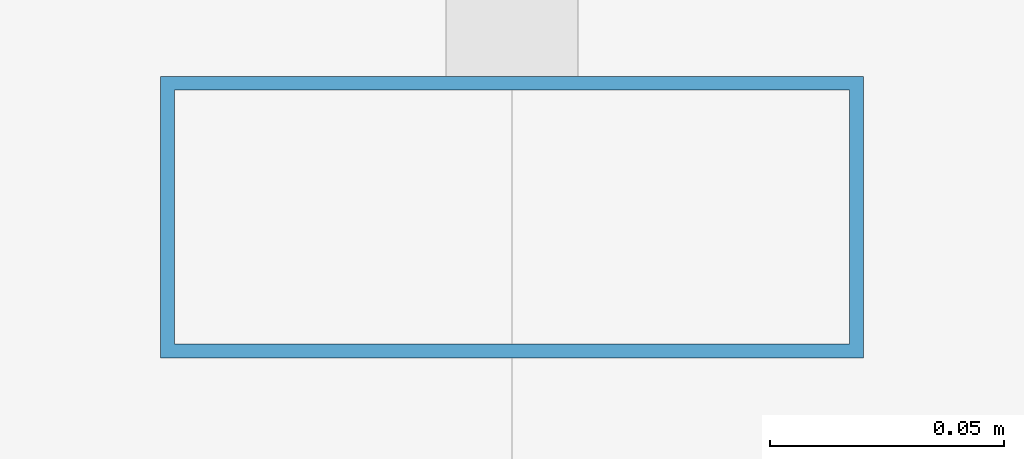
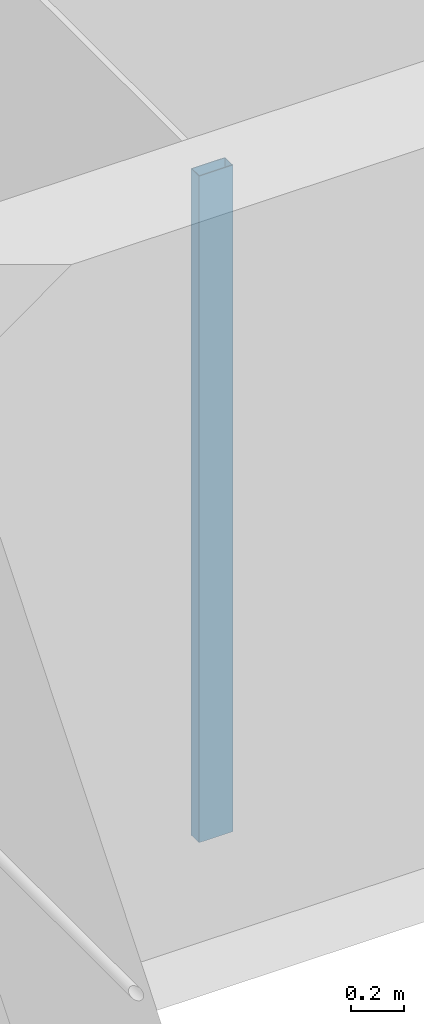
# One storey, part 11 of 40: 1 member, 1 element without a shape of its own.
"""IFC4 building model written with IfcOpenShell, lengths in metres."""

import ifcopenshell
import ifcopenshell.guid

model = None  # the IFC model being written
_history = None  # IfcOwnerHistory: only IFC2X3 demands one
_inside = {}  # id of a spatial element -> (the spatial element, [elements in it])
_under = {}  # id of a project, library or spatial element -> (it, [spatial elements below it])
_declared = {}  # id of a project -> (the project, [libraries it declares])
_typed = {}  # id of a type object -> (the type object, [elements of that type])
_made_of = {}  # id of a material, layer set ... -> (it, [elements and type objects made of it])


def new_model(schema):
    """Start an empty IFC model of exactly this schema.

    Asked for "IFC4X3", IfcOpenShell would pick the latest addendum, in which some entities
    have other attributes; the version numbers below select the first issue.
    IFC2X3 requires an IfcOwnerHistory on every rooted entity: one is made here for all.
    """
    global model, _history
    if schema == "IFC4X3":
        model = ifcopenshell.file(schema_version=(4, 3, 0, 0))
    else:
        model = ifcopenshell.file(schema=schema)
    _inside.clear()
    _under.clear()
    _declared.clear()
    _typed.clear()
    _made_of.clear()
    _history = None
    if model.schema == "IFC2X3":
        org = make("IfcOrganization", Name="unknown")
        user = make(
            "IfcPersonAndOrganization",
            ThePerson=make("IfcPerson", FamilyName="unknown"),
            TheOrganization=org,
        )
        app = make(
            "IfcApplication",
            ApplicationDeveloper=org,
            Version="unknown",
            ApplicationFullName="unknown",
            ApplicationIdentifier="unknown",
        )
        _history = make(
            "IfcOwnerHistory",
            OwningUser=user,
            OwningApplication=app,
            ChangeAction="ADDED",
            CreationDate=0,
        )
    return model


def make(cls, **values):
    """One entity of the class cls with the attributes given. An attribute that is None is left unset."""
    return model.create_entity(
        cls, **{name: value for name, value in values.items() if value is not None}
    )


def rooted(cls, **values):
    """An entity with a GlobalId (a new one), such as an element, a storey or a relation."""
    return make(cls, GlobalId=ifcopenshell.guid.new(), OwnerHistory=_history, **values)


def si_unit(unit_type, name, prefix=None):
    """IfcSIUnit, for example si_unit("LENGTHUNIT", "METRE", prefix="MILLI")."""
    return make("IfcSIUnit", UnitType=unit_type, Prefix=prefix, Name=name)


def assignment(units):
    """IfcUnitAssignment: the units of a project."""
    return None if units is None else make("IfcUnitAssignment", Units=units)


def point(xyz):
    """IfcCartesianPoint."""
    return None if xyz is None else make("IfcCartesianPoint", Coordinates=xyz)


def direction(xyz):
    """IfcDirection."""
    return None if xyz is None else make("IfcDirection", DirectionRatios=xyz)


def frame(location, z_axis=None, x_axis=None):
    """IfcAxis2Placement3D, a coordinate frame: its origin and axes. An axis left out is left unset."""
    return make(
        "IfcAxis2Placement3D",
        Location=point(location),
        Axis=direction(z_axis),
        RefDirection=direction(x_axis),
    )


def frame_2d(location, x_axis=None):
    """IfcAxis2Placement2D, a coordinate frame in the plane: its origin and x axis."""
    return make(
        "IfcAxis2Placement2D", Location=point(location), RefDirection=direction(x_axis)
    )


def origin():
    """The frame at (0, 0, 0) with its axes left unset."""
    return frame((0.0, 0.0, 0.0))


def origin_2d():
    """The frame at (0, 0) in the plane with its x axis left unset."""
    return frame_2d((0.0, 0.0))


def place(relative_to, where):
    """IfcLocalPlacement: puts the frame where relative to a parent placement (None: the world)."""
    return make(
        "IfcLocalPlacement", PlacementRelTo=relative_to, RelativePlacement=where
    )


def context(
    kind, dimensions, precision=None, world=None, true_north=None, identifier=None
):
    """IfcGeometricRepresentationContext, for example the 3D "Model" context."""
    return make(
        "IfcGeometricRepresentationContext",
        ContextIdentifier=identifier,
        ContextType=kind,
        CoordinateSpaceDimension=dimensions,
        Precision=precision,
        WorldCoordinateSystem=world,
        TrueNorth=true_north,
    )


def subcontext(parent, identifier, kind, view, scale=None):
    """IfcGeometricRepresentationSubContext, for example "Body" below "Model"."""
    return make(
        "IfcGeometricRepresentationSubContext",
        ContextIdentifier=identifier,
        ContextType=kind,
        ParentContext=parent,
        TargetScale=scale,
        TargetView=view,
    )


def project(units=None, contexts=None):
    """IfcProject with its units and contexts."""
    return rooted(
        "IfcProject",
        Name="project",
        RepresentationContexts=contexts,
        UnitsInContext=assignment(units),
    )


def spatial(cls, under=None, at=None, **own):
    """A site, building, storey or space (cls), placed at a placement, below another one or the project."""
    s = rooted(cls, ObjectPlacement=at, **own)
    if under is not None:
        _under.setdefault(under.id(), (under, []))[1].append(s)
    return s


def profile(cls, at=None, kind="AREA", **sizes):
    """A parametric profile (cls). Its sizes go by their IFC names, for example OverallWidth=200.0."""
    return make(cls, ProfileType=kind, Position=at, **sizes)


def hollow_rectangle(**sizes):
    """IfcRectangleHollowProfileDef."""
    return profile("IfcRectangleHollowProfileDef", **sizes)


def extrude(swept, where, along, depth):
    """IfcExtrudedAreaSolid: the profile swept, set in the frame where, extruded along a direction by depth."""
    return make(
        "IfcExtrudedAreaSolid",
        SweptArea=swept,
        Position=where,
        ExtrudedDirection=direction(along),
        Depth=depth,
    )


def shape(context_of_items, identifier, shape_type, items):
    """IfcShapeRepresentation: the items that make up one representation, for example the "Body"."""
    return make(
        "IfcShapeRepresentation",
        ContextOfItems=context_of_items,
        RepresentationIdentifier=identifier,
        RepresentationType=shape_type,
        Items=items,
    )


def material(Name=None, Category=None):
    """IfcMaterial."""
    return make("IfcMaterial", Name=Name, Category=Category)


def material_profile(
    of_material, cross_section, Name=None, Category=None, Priority=None
):
    """IfcMaterialProfile: a cross section and its material."""
    return make(
        "IfcMaterialProfile",
        Name=Name,
        Material=of_material,
        Profile=cross_section,
        Priority=Priority,
        Category=Category,
    )


def profile_set(profiles, Name=None, composite=None):
    """IfcMaterialProfileSet."""
    return make(
        "IfcMaterialProfileSet",
        Name=Name,
        MaterialProfiles=profiles,
        CompositeProfile=composite,
    )


def made_of(thing, what):
    """Note that an element or type object is made of a material, layer set ...; save() writes the relation."""
    if what is not None:
        _made_of.setdefault(what.id(), (what, []))[1].append(thing)
    return thing


def type_object(cls, material=None, **own):
    """A type object (cls), such as IfcWallType, which elements share."""
    return made_of(rooted(cls, **own), material)


def element(
    cls,
    number,
    at=None,
    inside=None,
    cuts=None,
    type_object=None,
    material=None,
    context=None,
    identifier="Body",
    shape_type=None,
    held_by="IfcProductDefinitionShape",
    body=None,
    shapes=None,
    **own,
):
    """One element of the class cls, such as IfcWall. Its Tag is "e" and its number.

    at: its placement. inside: the storey or other place that contains it. cuts: it is an
    opening in that element (IfcRelVoidsElement). A single representation is given by context,
    identifier, shape_type and body (its items); several are given by shapes. held_by: the class
    of the entity that holds the representations. save() writes the other relations.
    """
    e = rooted(cls, Tag="e%d" % number, ObjectPlacement=at, **own)
    if body is not None:
        shapes = [shape(context, identifier, shape_type, body)]
    if shapes is not None:
        e.Representation = make(held_by, Representations=shapes)
    if inside is not None:
        _inside.setdefault(inside.id(), (inside, []))[1].append(e)
    if cuts is not None:
        rooted(
            "IfcRelVoidsElement", RelatingBuildingElement=cuts, RelatedOpeningElement=e
        )
    if type_object is not None:
        _typed.setdefault(type_object.id(), (type_object, []))[1].append(e)
    return made_of(e, material)


def aggregate(whole, parts):
    """IfcRelAggregates: a whole, such as a stair, and the parts it consists of."""
    return rooted("IfcRelAggregates", RelatingObject=whole, RelatedObjects=parts)


def save(model, path):
    """Write the relations noted so far, then the file.

    IfcRelAggregates (storeys below a building ...), IfcRelContainedInSpatialStructure (elements
    in a storey), IfcRelDefinesByType, IfcRelAssociatesMaterial and IfcRelDeclares: one each for
    every whole, place, type object, material and project.
    """
    for whole, parts in _under.values():
        aggregate(whole, parts)
    for where, things in _inside.values():
        rooted(
            "IfcRelContainedInSpatialStructure",
            RelatedElements=things,
            RelatingStructure=where,
        )
    for kind, things in _typed.values():
        rooted("IfcRelDefinesByType", RelatedObjects=things, RelatingType=kind)
    for what, things in _made_of.values():
        rooted("IfcRelAssociatesMaterial", RelatedObjects=things, RelatingMaterial=what)
    for by, libraries in _declared.values():
        rooted("IfcRelDeclares", RelatingContext=by, RelatedDefinitions=libraries)
    model.write(path)


model = new_model("IFC4")

# Units and contexts
model_context = context("Model", 3, precision=1e-05, world=origin(), true_north=direction((0.0, 1.0)))
body_context = subcontext(model_context, "Body", "Model", "MODEL_VIEW")
ifc_project = project(units=[si_unit("LENGTHUNIT", "METRE"), si_unit("AREAUNIT", "SQUARE_METRE"), si_unit("VOLUMEUNIT", "CUBIC_METRE"), si_unit("PLANEANGLEUNIT", "RADIAN"), si_unit("MASSUNIT", "GRAM", prefix="KILO")], contexts=[model_context])

# Site, building, storey
site_placement = place(None, origin())
site = spatial("IfcSite", under=ifc_project, at=site_placement, CompositionType="ELEMENT")
building_placement = place(site_placement, origin())
building = spatial("IfcBuilding", under=site, at=building_placement, Name="Altepetl Exchange Towers", CompositionType="ELEMENT")
storey_placement = place(building_placement, frame((0.0, 0.0, 195.60009765625)))
storey = spatial("IfcBuildingStorey", under=building, at=storey_placement, Name="L49", CompositionType="ELEMENT", Elevation=195.60009765625)

# Curtain wall, member
ifc_material_1 = material(Name="Aluminium 6063-T6 glazing", Category="aluminium")
curtain_wall_type = type_object("IfcCurtainWallType", Name="Loggia glazing system", PredefinedType="NOTDEFINED", material=ifc_material_1)
curtain_wall_placement = place(storey_placement, origin())
curtain_wall = element("IfcCurtainWall", 1, at=curtain_wall_placement, inside=storey, type_object=curtain_wall_type, Name="CW1 run", PredefinedType="NOTDEFINED")
ifc_material_2 = material(Name="Aluminium 6063-T6", Category="aluminium")
ifc_material_profile = material_profile(ifc_material_2, hollow_rectangle(XDim=0.06005859375, YDim=0.14990234375, WallThickness=0.0029296875, at=origin_2d()), Name="Mullion 60x150 aluminium")
ifc_profile_set = profile_set([ifc_material_profile], Name="Aluminium 6063-T6")
member_type = type_object("IfcMemberType", Name="Mullion 60x150 aluminium", PredefinedType="MULLION", material=ifc_profile_set)
member_placement = place(storey_placement, frame((42.5, 58.60498046875, 0.0), z_axis=(0.0, 0.0, 1.0), x_axis=(0.0, -1.0, 0.0)))
member = element("IfcMember", 2, at=member_placement, type_object=member_type, Name="MU1 mullion", PredefinedType="MULLION", context=body_context, shape_type="SweptSolid", body=[
    extrude(hollow_rectangle(XDim=0.06005859375, YDim=0.14990234375, WallThickness=0.0029296875, at=origin_2d()), origin(), (0.0, 0.0, 1.0), 3.099853515625),
])
aggregate(curtain_wall, [member])

save(model, "model.ifc")
